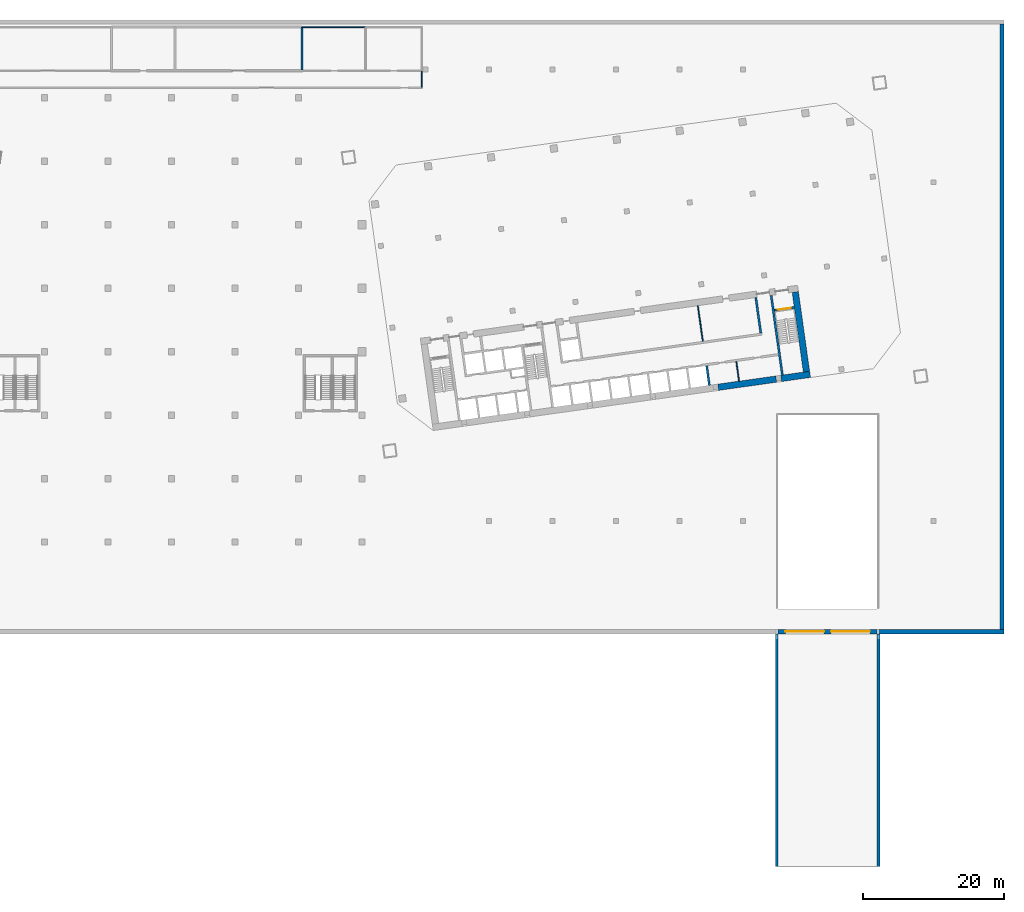
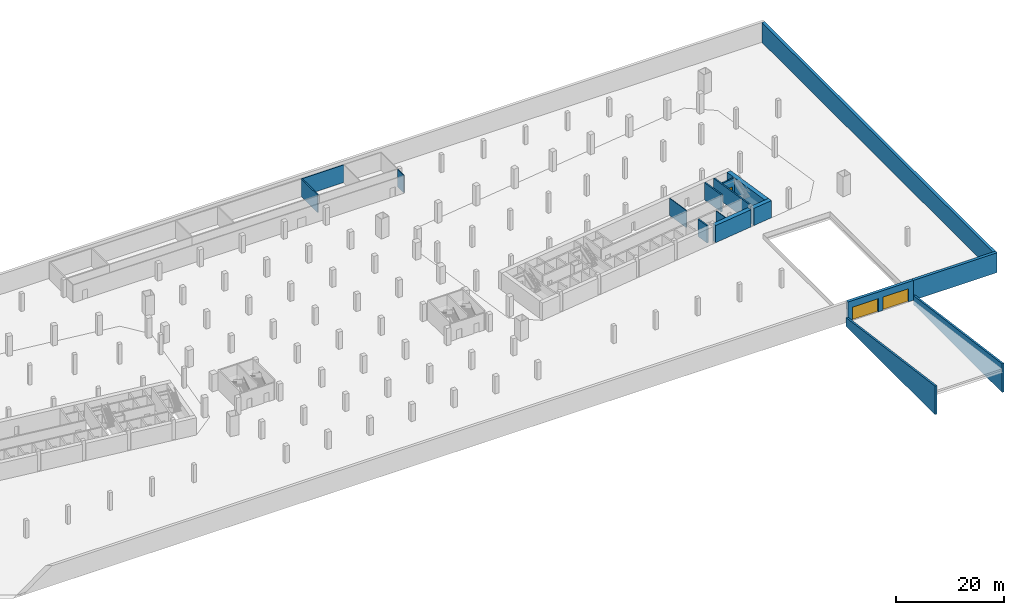
# One storey, part 11 of 17: 17 walls, 3 doors, 3 openings.
"""IFC4 building model written with IfcOpenShell, lengths in metres."""

from ifc_helpers import new_model, si_unit, direction, frame, frame_2d, origin, place, context, subcontext, project, spatial, polyline, rectangle, outline, extrude, material, layer, layer_set, type_object, element, fill, save


model = new_model("IFC4")

# Units and contexts
model_context = context("Model", 3, precision=1e-05, world=origin(), true_north=direction((0.0, 1.0)))
body_context = subcontext(model_context, "Body", "Model", "MODEL_VIEW")
ifc_project = project(units=[si_unit("LENGTHUNIT", "METRE"), si_unit("AREAUNIT", "SQUARE_METRE"), si_unit("VOLUMEUNIT", "CUBIC_METRE"), si_unit("PLANEANGLEUNIT", "RADIAN"), si_unit("MASSUNIT", "GRAM", prefix="KILO")], contexts=[model_context])

# Site, building, storey
site_placement = place(None, origin())
site = spatial("IfcSite", under=ifc_project, at=site_placement, CompositionType="ELEMENT")
building_placement = place(site_placement, origin())
building = spatial("IfcBuilding", under=site, at=building_placement, Name="Mirante Cascada Hotel Towers", CompositionType="ELEMENT")
storey_placement = place(building_placement, frame((0.0, 0.0, -4.5)))
storey = spatial("IfcBuildingStorey", under=building, at=storey_placement, Name="B1", CompositionType="ELEMENT", Elevation=-4.5)

# Walls
ifc_material_1 = material(Name="Masonry block", Category="masonry")
ifc_layer_1 = layer(ifc_material_1, 0.25)
ifc_layer_set_1 = layer_set([ifc_layer_1], Name="Basement plant room wall 250 block EI 120")
wall_type_1 = type_object("IfcWallType", Name="Basement plant room wall 250 block EI 120", PredefinedType="PARTITIONING", material=ifc_layer_set_1)
wall_1_placement = place(storey_placement, frame((18.5, 30.925, 0.0), z_axis=(0.0, 0.0, 1.0), x_axis=(0.0, 1.0, 0.0)))
element("IfcWall", 1, at=wall_1_placement, inside=storey, type_object=wall_type_1, Name="Plant room wall B1", PredefinedType="PARTITIONING", context=body_context, shape_type="SweptSolid", body=[
    extrude(rectangle(XDim=6.075, YDim=0.25, at=frame_2d((3.0375, 0.0))), origin(), (0.0, 0.0, 1.0), 4.0),
])
ifc_material_2 = material(Name="Masonry block", Category="masonry")
ifc_layer_2 = layer(ifc_material_2, 0.15)
ifc_layer_set_2 = layer_set([ifc_layer_2], Name="Basement service corridor wall 150 block EI 60")
wall_type_2 = type_object("IfcWallType", Name="Basement service corridor wall 150 block EI 60", PredefinedType="PARTITIONING", material=ifc_layer_set_2)
wall_2_placement = place(storey_placement, frame((35.5, 28.475, 0.0), z_axis=(0.0, 0.0, 1.0), x_axis=(0.0, 1.0, 0.0)))
element("IfcWall", 2, at=wall_2_placement, inside=storey, type_object=wall_type_2, Name="Service corridor wall B1", PredefinedType="PARTITIONING", context=body_context, shape_type="SweptSolid", body=[
    extrude(rectangle(XDim=2.295, YDim=0.15, at=frame_2d((1.1475, 0.0))), origin(), (0.0, 0.0, 1.0), 4.0),
])
ifc_material_3 = material(Name="Masonry block", Category="masonry")
ifc_layer_3 = layer(ifc_material_3, 0.15)
ifc_layer_set_3 = layer_set([ifc_layer_3], Name="Basement service room wall 150 block EI 60")
wall_type_3 = type_object("IfcWallType", Name="Basement service room wall 150 block EI 60", PredefinedType="PARTITIONING", material=ifc_layer_set_3)
wall_3_placement = place(storey_placement, frame((18.53, 37.0, 0.0), z_axis=(0.0, 0.0, 1.0), x_axis=(1.0, 0.0, 0.0)))
element("IfcWall", 3, at=wall_3_placement, inside=storey, type_object=wall_type_3, Name="Service room wall B1", PredefinedType="PARTITIONING", context=body_context, shape_type="SweptSolid", body=[
    extrude(rectangle(XDim=8.94, YDim=0.15, at=frame_2d((4.47, 0.0))), origin(), (0.0, 0.0, 1.0), 4.0),
])
ifc_material_4 = material(Name="Masonry block", Category="masonry")
ifc_layer_4 = layer(ifc_material_4, 0.15)
ifc_layer_set_4 = layer_set([ifc_layer_4], Name="Core room partition 150 block EI 30")
wall_type_4 = type_object("IfcWallType", Name="Core room partition 150 block EI 30", PredefinedType="PARTITIONING", material=ifc_layer_set_4)
wall_4_placement = place(storey_placement, frame((80.448, -13.1879, 0.0), z_axis=(0.0, 0.0, 1.0), x_axis=(-0.139176, 0.9902677, 0.0)))
element("IfcWall", 4, at=wall_4_placement, inside=storey, type_object=wall_type_4, Name="Core wall partition T2 B1 4", PredefinedType="PARTITIONING", context=body_context, shape_type="SweptSolid", body=[
    extrude(rectangle(XDim=2.8001, YDim=0.15, at=frame_2d((1.4, 0.0))), origin(), (0.0, 0.0, 1.0), 3.9),
])
wall_5_placement = place(storey_placement, frame((75.3131, -7.5476, 0.0), z_axis=(0.0, 0.0, 1.0), x_axis=(-0.1391782, 0.9902673, 0.0)))
element("IfcWall", 5, at=wall_5_placement, inside=storey, type_object=wall_type_4, Name="Core wall partition T2 B1 5", PredefinedType="PARTITIONING", context=body_context, shape_type="SweptSolid", body=[
    extrude(rectangle(XDim=5.0999, YDim=0.15, at=frame_2d((2.55, 0.0))), origin(), (0.0, 0.0, 1.0), 3.9),
])
ifc_material_5 = material(Name="Concrete C35/45", Category="concrete")
ifc_layer_5 = layer(ifc_material_5, 0.4)
ifc_layer_set_5 = layer_set([ifc_layer_5], Name="Open ramp wall 400 C35/45")
wall_type_5 = type_object("IfcWallType", Name="Open ramp wall 400 C35/45", PredefinedType="SOLIDWALL", material=ifc_layer_set_5)
for number, where, z_axis, x_axis, name in (
    (6, (85.8, -49.0, -0.9), (0.0, 0.0, 1.0), (0.0, -1.0, 0.0), "wall:B:B1:21"),
    (7, (100.2, -49.0, -0.9), (0.0, 0.0, 1.0), (0.0, -1.0, 0.0), "wall:B:B1:22"),
):
    element("IfcWall", number, at=place(storey_placement, frame(where, z_axis=z_axis, x_axis=x_axis)), inside=storey, type_object=wall_type_5, Name=name, PredefinedType="SOLIDWALL", context=body_context, shape_type="SweptSolid", body=[
        extrude(outline(polyline([(0.0, 0.0), (33.0, 0.0), (33.0, 6.5), (0.0, 2.0), (0.0, 0.0)])), frame((0.0, 0.2, 0.0), z_axis=(0.0, -1.0, 0.0), x_axis=(1.0, 0.0, 0.0)), (0.0, 0.0, 1.0), 0.4),
    ])
ifc_material_6 = material(Name="Concrete C50/60", Category="concrete")
ifc_layer_6 = layer(ifc_material_6, 0.3)
ifc_layer_set_6 = layer_set([ifc_layer_6], Name="RC core wall 300 C50/60")
wall_type_6 = type_object("IfcWallType", Name="RC core wall 300 C50/60", PredefinedType="SHEAR", material=ifc_layer_set_6)
wall_6_placement = place(storey_placement, frame((86.5877, -12.325, 0.0), z_axis=(0.0, 0.0, 1.0), x_axis=(-0.1391749, 0.9902678, 0.0)))
element("IfcWall", 8, at=wall_6_placement, inside=storey, type_object=wall_type_6, Name="Core wall T2:B1:8", PredefinedType="SHEAR", context=body_context, shape_type="SweptSolid", body=[
    extrude(rectangle(XDim=11.4, YDim=0.3, at=frame_2d((5.7, 0.0))), origin(), (0.0, 0.0, 1.0), 3.9),
])

# Wall, opening, door
wall_7_placement = place(storey_placement, frame((85.4489, -3.1441, 0.0), z_axis=(0.0, 0.0, 1.0), x_axis=(0.9902697, 0.1391613, 0.0)))
wall_7 = element("IfcWall", 9, at=wall_7_placement, inside=storey, type_object=wall_type_6, Name="Core wall T2:B1:11", PredefinedType="SHEAR", context=body_context, shape_type="SweptSolid", body=[
    extrude(rectangle(XDim=2.8499, YDim=0.3, at=frame_2d((1.425, 0.0))), origin(), (0.0, 0.0, 1.0), 3.9),
])
opening_1_placement = place(wall_7_placement, frame((0.525, 0.0, 0.0)))
opening_1 = element("IfcOpeningElement", 10, at=opening_1_placement, cuts=wall_7, Name="Opening D2-B1-C20", PredefinedType="OPENING", context=body_context, shape_type="SweptSolid", body=[
    extrude(rectangle(XDim=1.8, YDim=2.1, at=frame_2d((0.9, 1.05))), frame((0.0, 0.15, 0.0), z_axis=(0.0, -1.0, 0.0), x_axis=(1.0, 0.0, 0.0)), (0.0, 0.0, 1.0), 0.3),
])
ifc_material_7 = material(Name="Hollow metal fire door leaf")
door_type_1 = type_object("IfcDoorType", Name="Double fire door 1800x2100 FD60", OperationType="DOUBLE_DOOR_SINGLE_SWING", PredefinedType="DOOR", material=ifc_material_7)
door_1_placement = place(opening_1_placement, frame((1.8, 0.0, 0.0), z_axis=(0.0, 0.0, 1.0), x_axis=(-1.0, 0.0, 0.0)))
door_1 = element("IfcDoor", 11, at=door_1_placement, inside=storey, type_object=door_type_1, Name="Stair door T2 B1 20", OperationType="DOUBLE_DOOR_SINGLE_SWING", OverallHeight=2.1, OverallWidth=1.8, PredefinedType="DOOR", context=body_context, shape_type="SweptSolid", body=[
    extrude(rectangle(XDim=0.895, YDim=2.1, at=frame_2d((0.4475, 1.05))), frame((0.0, 0.025, 0.0), z_axis=(0.0, -1.0, 0.0), x_axis=(1.0, 0.0, 0.0)), (0.0, 0.0, 1.0), 0.05),
    extrude(rectangle(XDim=0.895, YDim=2.1, at=frame_2d((1.3525, 1.05))), frame((0.0, 0.025, 0.0), z_axis=(0.0, -1.0, 0.0), x_axis=(1.0, 0.0, 0.0)), (0.0, 0.0, 1.0), 0.05),
])
fill(opening_1, door_1)

# Walls
wall_8_placement = place(storey_placement, frame((76.2394, -13.7794, 0.0), z_axis=(0.0, 0.0, 1.0), x_axis=(-0.139176, 0.9902677, 0.0)))
element("IfcWall", 12, at=wall_8_placement, inside=storey, type_object=wall_type_6, Name="Core wall T2:B1:32", PredefinedType="SHEAR", context=body_context, shape_type="SweptSolid", body=[
    extrude(rectangle(XDim=2.8001, YDim=0.3, at=frame_2d((1.4, 0.0))), origin(), (0.0, 0.0, 1.0), 3.9),
])
wall_9_placement = place(storey_placement, frame((83.5323, -6.3925, 0.0), z_axis=(0.0, 0.0, 1.0), x_axis=(-0.1391755, 0.9902677, 0.0)))
element("IfcWall", 13, at=wall_9_placement, inside=storey, type_object=wall_type_6, Name="Core wall T2:B1:36", PredefinedType="SHEAR", context=body_context, shape_type="SweptSolid", body=[
    extrude(rectangle(XDim=5.1, YDim=0.3, at=frame_2d((2.55, 0.0))), origin(), (0.0, 0.0, 1.0), 3.9),
])
ifc_material_8 = material(Name="Concrete C50/60", Category="concrete")
ifc_layer_7 = layer(ifc_material_8, 0.9)
ifc_layer_set_7 = layer_set([ifc_layer_7], Name="RC core wall 900 C50/60")
wall_type_7 = type_object("IfcWallType", Name="RC core wall 900 C50/60", PredefinedType="SHEAR", material=ifc_layer_set_7)
wall_10_placement = place(storey_placement, frame((77.4903, -14.058, 0.0), z_axis=(0.0, 0.0, 1.0), x_axis=(0.990267, 0.139181, 0.0)))
element("IfcWall", 14, at=wall_10_placement, inside=storey, type_object=wall_type_7, Name="Core wall T2:B1:1.6", PredefinedType="SHEAR", context=body_context, shape_type="SweptSolid", body=[
    extrude(rectangle(XDim=8.3, YDim=0.9, at=frame_2d((4.15, 0.0))), origin(), (0.0, 0.0, 1.0), 3.9),
])
wall_11_placement = place(storey_placement, frame((86.4027, -12.8054, 0.0), z_axis=(0.0, 0.0, 1.0), x_axis=(0.990267, 0.139181, 0.0)))
element("IfcWall", 15, at=wall_11_placement, inside=storey, type_object=wall_type_7, Name="Core wall T2:B1:1.7", PredefinedType="SHEAR", context=body_context, shape_type="SweptSolid", body=[
    extrude(rectangle(XDim=4.15, YDim=0.9, at=frame_2d((2.075, 0.0))), origin(), (0.0, 0.0, 1.0), 3.9),
])
wall_12_placement = place(storey_placement, frame((90.0041, -11.8449, 0.0), z_axis=(0.0, 0.0, 1.0), x_axis=(-0.1391749, 0.9902678, 0.0)))
element("IfcWall", 16, at=wall_12_placement, inside=storey, type_object=wall_type_7, Name="Core wall T2:B1:4", PredefinedType="SHEAR", context=body_context, shape_type="SweptSolid", body=[
    extrude(rectangle(XDim=11.4, YDim=0.9, at=frame_2d((5.7, 0.0))), origin(), (0.0, 0.0, 1.0), 3.9),
])
ifc_material_9 = material(Name="Concrete C35/45", Category="concrete")
ifc_layer_8 = layer(ifc_material_9, 0.6)
ifc_layer_set_8 = layer_set([ifc_layer_8], Name="Retaining wall 600 C35/45")
wall_type_8 = type_object("IfcWallType", Name="Retaining wall 600 C35/45", PredefinedType="SOLIDWALL", material=ifc_layer_set_8)
wall_13_placement = place(storey_placement, frame((117.7, -48.4, 0.0), z_axis=(0.0, 0.0, 1.0), x_axis=(0.0, 1.0, 0.0)))
element("IfcWall", 17, at=wall_13_placement, inside=storey, type_object=wall_type_8, Name="wall:B:B1:2", PredefinedType="SOLIDWALL", context=body_context, shape_type="SweptSolid", body=[
    extrude(rectangle(XDim=85.8, YDim=0.6, at=frame_2d((42.9, 0.0))), origin(), (0.0, 0.0, 1.0), 4.5),
])
wall_14_placement = place(storey_placement, frame((100.0, -48.7, 0.0), z_axis=(0.0, 0.0, 1.0), x_axis=(1.0, 0.0, 0.0)))
element("IfcWall", 18, at=wall_14_placement, inside=storey, type_object=wall_type_8, Name="wall:B:B1:5", PredefinedType="SOLIDWALL", context=body_context, shape_type="SweptSolid", body=[
    extrude(rectangle(XDim=18.0, YDim=0.6, at=frame_2d((9.0, 0.0))), origin(), (0.0, 0.0, 1.0), 4.5),
])

# Wall, openings, doors
wall_15_placement = place(storey_placement, frame((86.0, -48.7, 0.0), z_axis=(0.0, 0.0, 1.0), x_axis=(1.0, 0.0, 0.0)))
wall_15 = element("IfcWall", 19, at=wall_15_placement, inside=storey, type_object=wall_type_8, Name="Car park entrance wall", PredefinedType="SOLIDWALL", context=body_context, shape_type="SweptSolid", body=[
    extrude(rectangle(XDim=14.0, YDim=0.6, at=frame_2d((7.0, 0.0))), origin(), (0.0, 0.0, 1.0), 4.5),
])
opening_2_placement = place(wall_15_placement, frame((1.0, 0.0, 0.0)))
opening_2 = element("IfcOpeningElement", 20, at=opening_2_placement, cuts=wall_15, Name="Opening DB-1-14", PredefinedType="OPENING", context=body_context, shape_type="SweptSolid", body=[
    extrude(rectangle(XDim=5.5, YDim=3.0, at=frame_2d((2.75, 1.5))), frame((0.0, 0.3, 0.0), z_axis=(0.0, -1.0, 0.0), x_axis=(1.0, 0.0, 0.0)), (0.0, 0.0, 1.0), 0.6),
])
opening_3_placement = place(wall_15_placement, frame((7.5, 0.0, 0.0)))
opening_3 = element("IfcOpeningElement", 21, at=opening_3_placement, cuts=wall_15, Name="Opening DB-1-15", PredefinedType="OPENING", context=body_context, shape_type="SweptSolid", body=[
    extrude(rectangle(XDim=5.5, YDim=3.0, at=frame_2d((2.75, 1.5))), frame((0.0, 0.3, 0.0), z_axis=(0.0, -1.0, 0.0), x_axis=(1.0, 0.0, 0.0)), (0.0, 0.0, 1.0), 0.6),
])
ifc_material_10 = material(Name="Galvanised roller shutter slats")
door_type_2 = type_object("IfcDoorType", Name="Car park roller gate 5500x3000", OperationType="ROLLINGUP", PredefinedType="GATE", material=ifc_material_10)
door_2_placement = place(opening_2_placement, origin())
door_2 = element("IfcDoor", 22, at=door_2_placement, inside=storey, type_object=door_type_2, Name="Car park entrance gate DB-1-14", OperationType="ROLLINGUP", OverallHeight=3.0, OverallWidth=5.5, PredefinedType="GATE", context=body_context, shape_type="SweptSolid", body=[
    extrude(rectangle(XDim=5.5, YDim=3.0, at=frame_2d((2.75, 1.5))), frame((0.0, 0.025, 0.0), z_axis=(0.0, -1.0, 0.0), x_axis=(1.0, 0.0, 0.0)), (0.0, 0.0, 1.0), 0.05),
])
fill(opening_2, door_2)
door_3_placement = place(opening_3_placement, origin())
door_3 = element("IfcDoor", 23, at=door_3_placement, inside=storey, type_object=door_type_2, Name="Car park entrance gate DB-1-15", OperationType="ROLLINGUP", OverallHeight=3.0, OverallWidth=5.5, PredefinedType="GATE", context=body_context, shape_type="SweptSolid", body=[
    extrude(rectangle(XDim=5.5, YDim=3.0, at=frame_2d((2.75, 1.5))), frame((0.0, 0.025, 0.0), z_axis=(0.0, -1.0, 0.0), x_axis=(1.0, 0.0, 0.0)), (0.0, 0.0, 1.0), 0.05),
])
fill(opening_3, door_3)

save(model, "model.ifc")
